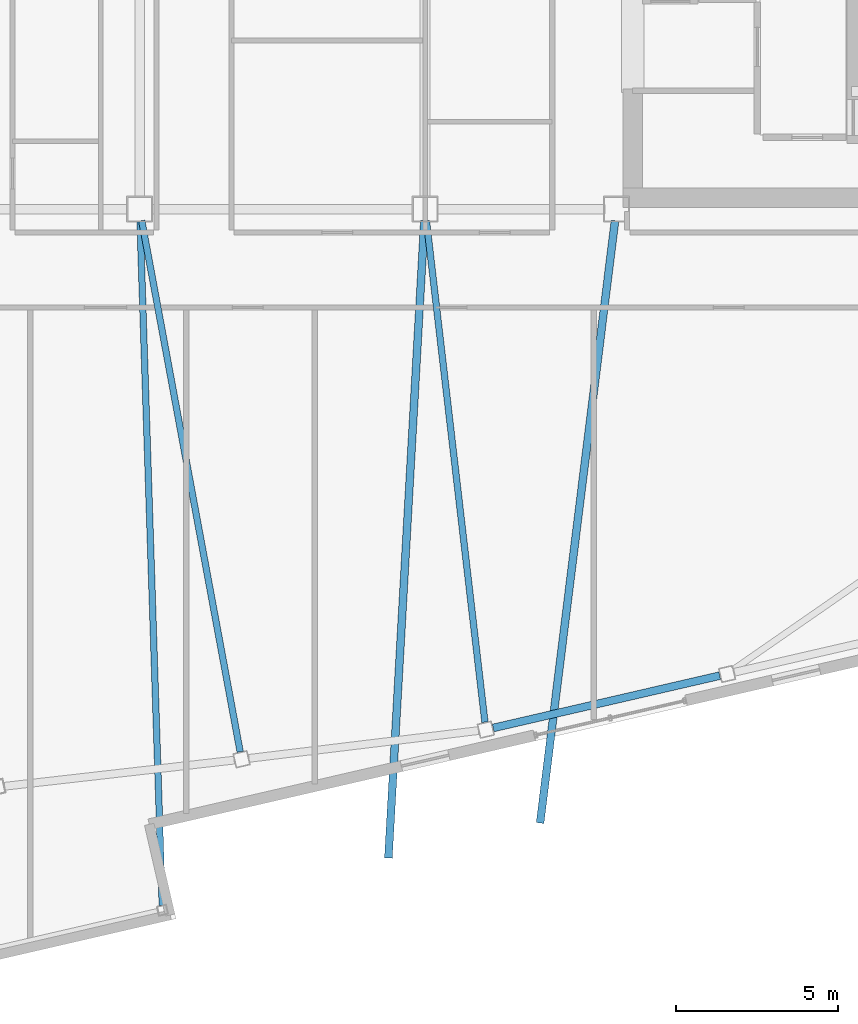
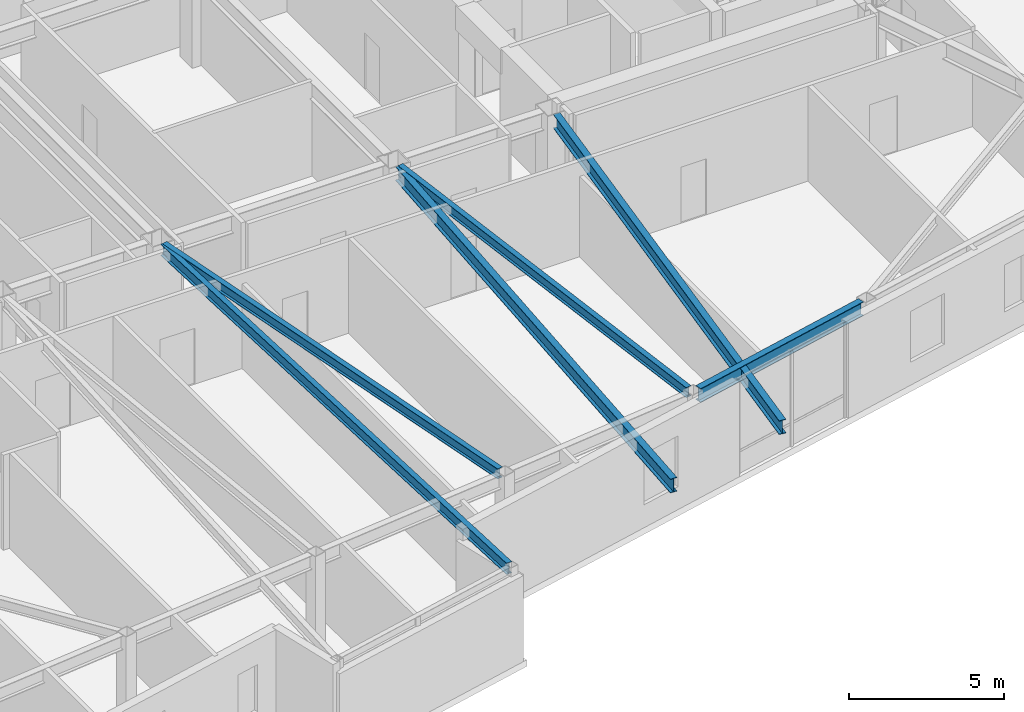
# One storey, part 7 of 21: 6 beams.
"""IFC4 building model written with IfcOpenShell, lengths in metres."""

from ifc_helpers import new_model, si_unit, direction, frame, origin, origin_2d, place, context, subcontext, project, spatial, i_section, extrude, material, material_profile, profile_set, type_object, element, save


model = new_model("IFC4")

# Units and contexts
model_context = context("Model", 3, precision=1e-05, world=origin(), true_north=direction((0.0, 1.0)))
body_context = subcontext(model_context, "Body", "Model", "MODEL_VIEW")
ifc_project = project(units=[si_unit("LENGTHUNIT", "METRE"), si_unit("AREAUNIT", "SQUARE_METRE"), si_unit("VOLUMEUNIT", "CUBIC_METRE"), si_unit("PLANEANGLEUNIT", "RADIAN"), si_unit("MASSUNIT", "GRAM", prefix="KILO")], contexts=[model_context])

# Site, building, storey
site_placement = place(None, origin())
site = spatial("IfcSite", under=ifc_project, at=site_placement, CompositionType="ELEMENT")
building_placement = place(site_placement, origin())
building = spatial("IfcBuilding", under=site, at=building_placement, Name="Tavrogorsk Clinical Tower", CompositionType="ELEMENT")
storey_placement = place(building_placement, frame((0.0, 0.0, 285.0)))
storey = spatial("IfcBuildingStorey", under=building, at=storey_placement, Name="L66", CompositionType="ELEMENT", Elevation=285.0)

# Beams
ifc_material_1 = material(Name="Structural steel S355", Category="steel")
ifc_material_profile_1 = material_profile(ifc_material_1, i_section(OverallWidth=0.199951171875, OverallDepth=0.39990234375, WebThickness=0.010498046875, FlangeThickness=0.01611328125, at=origin_2d()), Name="B-400x200x10.5x16")
ifc_profile_set_1 = profile_set([ifc_material_profile_1], Name="Structural steel S355")
beam_type_1 = type_object("IfcBeamType", Name="FloorBeam_B400", PredefinedType="BEAM", material=ifc_profile_set_1)
beam_1_placement = place(storey_placement, frame((-4.33447265625, -6.703857421875, 3.5400390625), z_axis=(0.182185314471, -0.983264212301, 0.0), x_axis=(0.983264212301, 0.182185314471, 0.0)))
element("IfcBeam", 1, at=beam_1_placement, inside=storey, type_object=beam_type_1, Name="L66 Radial Floor Beam S4", PredefinedType="BEAM", context=body_context, shape_type="SweptSolid", body=[
    extrude(i_section(OverallWidth=0.199951171875, OverallDepth=0.39990234375, WebThickness=0.010498046875, FlangeThickness=0.01611328125, at=origin_2d()), origin(), (0.0, 0.0, 1.0), 16.65576171875),
])
beam_2_placement = place(storey_placement, frame((4.441650390625, -6.70751953125, 3.5400390625), z_axis=(0.115913716413, -0.993259286565, 0.0), x_axis=(0.993259286565, 0.115913716413, 0.0)))
element("IfcBeam", 2, at=beam_2_placement, inside=storey, type_object=beam_type_1, Name="L66 Radial Floor Beam S5", PredefinedType="BEAM", context=body_context, shape_type="SweptSolid", body=[
    extrude(i_section(OverallWidth=0.199951171875, OverallDepth=0.39990234375, WebThickness=0.010498046875, FlangeThickness=0.01611328125, at=origin_2d()), origin(), (0.0, 0.0, 1.0), 15.56298828125),
])
ifc_material_2 = material(Name="Structural steel S355", Category="steel")
ifc_material_profile_2 = material_profile(ifc_material_2, i_section(OverallWidth=0.199951171875, OverallDepth=0.449951171875, WebThickness=0.011474609375, FlangeThickness=0.01806640625, at=origin_2d()), Name="B-450x200x11.5x18")
ifc_profile_set_2 = profile_set([ifc_material_profile_2], Name="Structural steel S355")
beam_type_2 = type_object("IfcBeamType", Name="FloorBeam_B450", PredefinedType="BEAM", material=ifc_profile_set_2)
beam_3_placement = place(storey_placement, frame((-4.388427734375, -6.709716796875, 3.514892578125), z_axis=(0.032465127414, -0.999472868817, 0.0), x_axis=(0.999472868817, 0.032465127414, 0.0)))
element("IfcBeam", 3, at=beam_3_placement, inside=storey, type_object=beam_type_2, Name="L66 Day-Room Cantilever Beam DRB-09-R", PredefinedType="BEAM", context=body_context, shape_type="SweptSolid", body=[
    extrude(i_section(OverallWidth=0.199951171875, OverallDepth=0.449951171875, WebThickness=0.011474609375, FlangeThickness=0.01806640625, at=origin_2d()), origin(), (0.0, 0.0, 1.0), 21.1240234375),
])
ifc_material_3 = material(Name="Structural steel S390", Category="steel")
ifc_material_profile_3 = material_profile(ifc_material_3, i_section(OverallWidth=0.239990234375, OverallDepth=0.550048828125, WebThickness=0.013916015625, FlangeThickness=0.02197265625, at=origin_2d()), Name="B-550x240x14x22")
ifc_profile_set_3 = profile_set([ifc_material_profile_3], Name="Structural steel S390")
beam_type_3 = type_object("IfcBeamType", Name="SpandrelBeam_B550", PredefinedType="SPANDREL", material=ifc_profile_set_3)
beam_4_placement = place(storey_placement, frame((6.499755859375, -22.344482421875, 3.465087890625), z_axis=(0.974369378592, 0.224954026551, 0.0), x_axis=(-0.224954026551, 0.974369378592, 0.0)))
element("IfcBeam", 4, at=beam_4_placement, inside=storey, type_object=beam_type_3, Name="L66 Perimeter Spandrel S5-S6", PredefinedType="SPANDREL", context=body_context, shape_type="SweptSolid", body=[
    extrude(i_section(OverallWidth=0.239990234375, OverallDepth=0.550048828125, WebThickness=0.013916015625, FlangeThickness=0.02197265625, at=origin_2d()), origin(), (0.0, 0.0, 1.0), 7.16845703125),
])
beam_5_placement = place(storey_placement, frame((4.379638671875, -6.70947265625, 3.445068359375), z_axis=(-0.056456137646, -0.998405080377, 0.0), x_axis=(0.998405080377, -0.056456137646, 0.0)))
element("IfcBeam", 5, at=beam_5_placement, inside=storey, type_object=beam_type_3, Name="L67 Spiral Terrace Cantilever Beam 2", PredefinedType="SPANDREL", context=body_context, shape_type="SweptSolid", body=[
    extrude(i_section(OverallWidth=0.239990234375, OverallDepth=0.550048828125, WebThickness=0.013916015625, FlangeThickness=0.02197265625, at=origin_2d()), origin(), (0.0, 0.0, 1.0), 19.67626953125),
])
beam_6_placement = place(storey_placement, frame((10.255615234375, -6.707275390625, 3.445068359375), z_axis=(-0.12345174688, -0.992350576254, 0.0), x_axis=(0.992350576254, -0.12345174688, 0.0)))
element("IfcBeam", 6, at=beam_6_placement, inside=storey, type_object=beam_type_3, Name="L67 Spiral Terrace Cantilever Beam 3", PredefinedType="SPANDREL", context=body_context, shape_type="SweptSolid", body=[
    extrude(i_section(OverallWidth=0.239990234375, OverallDepth=0.550048828125, WebThickness=0.013916015625, FlangeThickness=0.02197265625, at=origin_2d()), origin(), (0.0, 0.0, 1.0), 18.710205078125),
])

save(model, "model.ifc")
